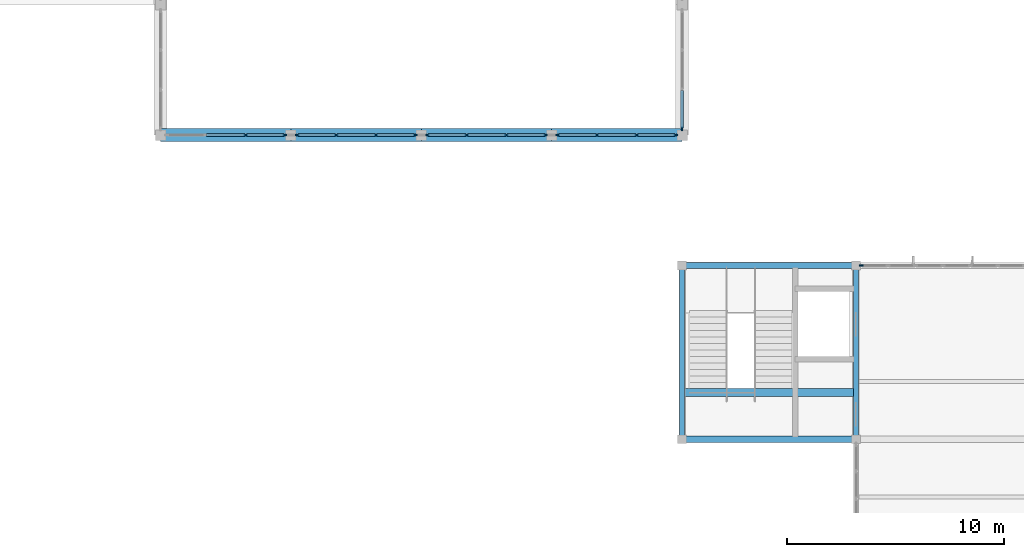
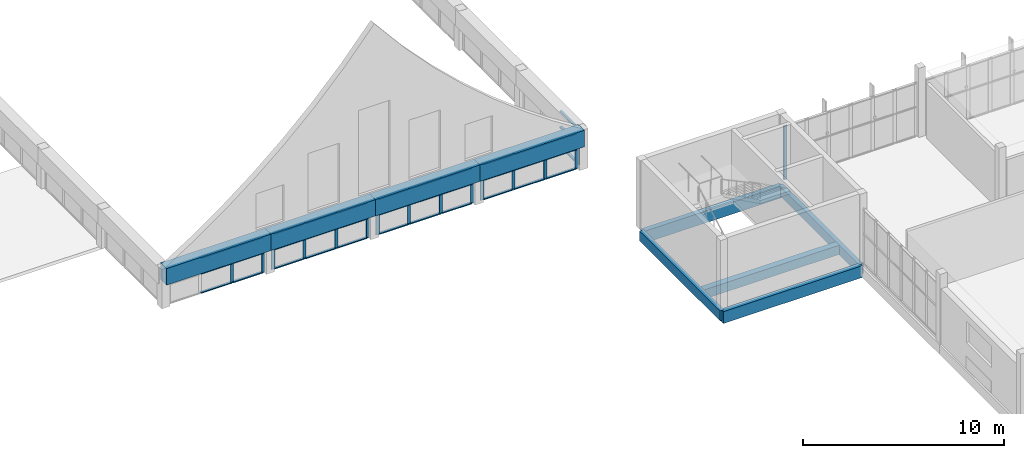
# One storey, part 4 of 45: 52 members, 9 beams, 6 elements without a shape of their own.
"""IFC4 building model written with IfcOpenShell, lengths in metres."""

from ifc_helpers import new_model, si_unit, direction, frame, origin, origin_2d, place, context, subcontext, project, spatial, rectangle, extrude, material, layer, layer_set, material_profile, profile_set, type_object, element, aggregate, save


model = new_model("IFC4")

# Units and contexts
model_context = context("Model", 3, precision=1e-05, world=origin(), true_north=direction((0.0, 1.0)))
body_context = subcontext(model_context, "Body", "Model", "MODEL_VIEW")
ifc_project = project(units=[si_unit("LENGTHUNIT", "METRE"), si_unit("AREAUNIT", "SQUARE_METRE"), si_unit("VOLUMEUNIT", "CUBIC_METRE"), si_unit("PLANEANGLEUNIT", "RADIAN"), si_unit("MASSUNIT", "GRAM", prefix="KILO")], contexts=[model_context])

# Site, building, storey
site_placement = place(None, origin())
site = spatial("IfcSite", under=ifc_project, at=site_placement, CompositionType="ELEMENT")
building_placement = place(site_placement, origin())
building = spatial("IfcBuilding", under=site, at=building_placement, Name="Solvane Community Centre", CompositionType="ELEMENT")
storey_placement = place(building_placement, frame((0.0, 0.0, 13.800048828125)))
storey = spatial("IfcBuildingStorey", under=building, at=storey_placement, Name="L03", CompositionType="ELEMENT", Elevation=13.800048828125)

# Curtain wall, member
ifc_material_1 = material(Name="Anodised bronze aluminium AW-6063 T6", Category="aluminium")
ifc_layer_1 = layer(ifc_material_1, 0.199951171875)
ifc_layer_set_1 = layer_set([ifc_layer_1], Name="Anodised bronze aluminium AW-6063 T6")
curtain_wall_type_1 = type_object("IfcCurtainWallType", Name="Courtyard Cloister Curtain Wall [76x33dm]", PredefinedType="NOTDEFINED", material=ifc_layer_set_1)
curtain_wall_1_placement = place(storey_placement, origin())
curtain_wall_1 = element("IfcCurtainWall", 1, at=curtain_wall_1_placement, inside=storey, type_object=curtain_wall_type_1, Name="Curtain Wall CW-L03-682_300-221", PredefinedType="NOTDEFINED")
ifc_material_profile_1 = material_profile(ifc_material_1, rectangle(XDim=0.06005859375, YDim=0.199951171875, at=origin_2d()), Name="CW-M 60x200")
ifc_profile_set_1 = profile_set([ifc_material_profile_1], Name="Anodised bronze aluminium AW-6063 T6")
member_type_1 = type_object("IfcMemberType", Name="Cloister Mullion 60x200", PredefinedType="MULLION", material=ifc_profile_set_1)
member_1_placement = place(storey_placement, frame((68.2451171875, 30.0, 0.0), z_axis=(0.0, 0.0, 1.0), x_axis=(0.0, 1.0, 0.0)))
member_1 = element("IfcMember", 2, at=member_1_placement, type_object=member_type_1, Name="CW03-76x33 mullion 1", PredefinedType="MULLION", context=body_context, shape_type="SweptSolid", body=[
    extrude(rectangle(XDim=0.06005859375, YDim=0.199951171875, at=origin_2d()), origin(), (0.0, 0.0, 1.0), 3.264892578125),
])
aggregate(curtain_wall_1, [member_1])

# Beams
ifc_material_2 = material(Name="Glulam GL28h", Category="wood")
ifc_material_profile_2 = material_profile(ifc_material_2, rectangle(XDim=0.239990234375, YDim=0.60009765625, at=origin_2d()), Name="GL28h 240x600")
ifc_profile_set_2 = profile_set([ifc_material_profile_2], Name="Glulam GL28h")
beam_type_1 = type_object("IfcBeamType", Name="Glulam Floor Beam 240x600", PredefinedType="BEAM", material=ifc_profile_set_2)
for number, where, z_axis, x_axis, name in (
    (3, (60.0, 22.0, -0.52001953125), (0.0, 1.0, 0.0), (-1.0, 0.0, 0.0), "Beam BM-L03-600_220-600_300"),
    (4, (68.0, 22.0, -0.52001953125), (0.0, 1.0, 0.0), (-1.0, 0.0, 0.0), "Beam BM-L03-680_220-680_300"),
):
    element("IfcBeam", number, at=place(storey_placement, frame(where, z_axis=z_axis, x_axis=x_axis)), inside=storey, type_object=beam_type_1, Name=name, PredefinedType="BEAM", context=body_context, shape_type="SweptSolid", body=[
        extrude(rectangle(XDim=0.239990234375, YDim=0.60009765625, at=origin_2d()), origin(), (0.0, 0.0, 1.0), 8.0),
    ])
ifc_material_profile_3 = material_profile(ifc_material_2, rectangle(XDim=0.280029296875, YDim=0.719970703125, at=origin_2d()), Name="GL28h 280x720")
ifc_profile_set_3 = profile_set([ifc_material_profile_3], Name="Glulam GL28h")
beam_type_2 = type_object("IfcBeamType", Name="Glulam Long-Span Girder 280x720", PredefinedType="USERDEFINED", material=ifc_profile_set_3)
for number, where, z_axis, x_axis, name in (
    (5, (60.0, 22.0, -0.580078125), (1.0, 0.0, 0.0), (0.0, 1.0, 0.0), "Beam BM-L03-600_220-680_220"),
    (6, (60.0, 30.0, -0.580078125), (1.0, 0.0, 0.0), (0.0, 1.0, 0.0), "Beam BM-L03-600_300-680_300"),
):
    element("IfcBeam", number, at=place(storey_placement, frame(where, z_axis=z_axis, x_axis=x_axis)), inside=storey, type_object=beam_type_2, Name=name, ObjectType="GIRDER", PredefinedType="USERDEFINED", context=body_context, shape_type="SweptSolid", body=[
        extrude(rectangle(XDim=0.280029296875, YDim=0.719970703125, at=origin_2d()), origin(), (0.0, 0.0, 1.0), 8.0),
    ])

# Curtain wall, member
ifc_layer_2 = layer(ifc_material_1, 0.179931640625)
ifc_layer_set_2 = layer_set([ifc_layer_2], Name="Anodised bronze aluminium AW-6063 T6")
curtain_wall_type_2 = type_object("IfcCurtainWallType", Name="Hall Translucent Upper Curtain Wall [55x22dm]", PredefinedType="NOTDEFINED", material=ifc_layer_set_2)
curtain_wall_2_placement = place(storey_placement, origin())
curtain_wall_2 = element("IfcCurtainWall", 7, at=curtain_wall_2_placement, inside=storey, type_object=curtain_wall_type_2, Name="Curtain Wall CW-L03-600_363-143", PredefinedType="NOTDEFINED")
ifc_material_profile_4 = material_profile(ifc_material_1, rectangle(XDim=0.06005859375, YDim=0.179931640625, at=origin_2d()), Name="CW-M 60x180")
ifc_profile_set_4 = profile_set([ifc_material_profile_4], Name="Anodised bronze aluminium AW-6063 T6")
member_type_2 = type_object("IfcMemberType", Name="Hall Mullion 60x180", PredefinedType="MULLION", material=ifc_profile_set_4)
member_2_placement = place(storey_placement, frame((60.0, 36.284912109375, 0.0), z_axis=(0.0, 0.0, 1.0), x_axis=(-1.0, 0.0, 0.0)))
member_2 = element("IfcMember", 8, at=member_2_placement, type_object=member_type_2, Name="CW01-55x22 mullion 1", PredefinedType="MULLION", context=body_context, shape_type="SweptSolid", body=[
    extrude(rectangle(XDim=0.06005859375, YDim=0.179931640625, at=origin_2d()), origin(), (0.0, 0.0, 1.0), 2.179931640625),
])

# Curtain wall, members
curtain_wall_3_placement = place(storey_placement, origin())
curtain_wall_3 = element("IfcCurtainWall", 9, at=curtain_wall_3_placement, inside=storey, type_object=curtain_wall_type_2, Name="Curtain Wall CW-L03-597_360-154", PredefinedType="NOTDEFINED")
member_3_placement = place(storey_placement, frame((59.715087890625, 36.0, 0.0), z_axis=(0.0, 0.0, 1.0), x_axis=(0.0, -1.0, 0.0)))
member_3 = element("IfcMember", 10, at=member_3_placement, type_object=member_type_2, Name="CW01-55x22 mullion 1", PredefinedType="MULLION", context=body_context, shape_type="SweptSolid", body=[
    extrude(rectangle(XDim=0.06005859375, YDim=0.179931640625, at=origin_2d()), origin(), (0.0, 0.0, 1.0), 2.179931640625),
])
member_4_placement = place(storey_placement, frame((57.9150390625, 36.0, 0.0), z_axis=(0.0, 0.0, 1.0), x_axis=(0.0, -1.0, 0.0)))
member_4 = element("IfcMember", 11, at=member_4_placement, type_object=member_type_2, Name="CW01-55x22 mullion 2", PredefinedType="MULLION", context=body_context, shape_type="SweptSolid", body=[
    extrude(rectangle(XDim=0.06005859375, YDim=0.179931640625, at=origin_2d()), origin(), (0.0, 0.0, 1.0), 2.179931640625),
])
member_5_placement = place(storey_placement, frame((56.0849609375, 36.0, 0.0), z_axis=(0.0, 0.0, 1.0), x_axis=(0.0, -1.0, 0.0)))
member_5 = element("IfcMember", 12, at=member_5_placement, type_object=member_type_2, Name="CW01-55x22 mullion 3", PredefinedType="MULLION", context=body_context, shape_type="SweptSolid", body=[
    extrude(rectangle(XDim=0.06005859375, YDim=0.179931640625, at=origin_2d()), origin(), (0.0, 0.0, 1.0), 2.179931640625),
])
member_6_placement = place(storey_placement, frame((54.284912109375, 36.0, 0.0), z_axis=(0.0, 0.0, 1.0), x_axis=(0.0, -1.0, 0.0)))
member_6 = element("IfcMember", 13, at=member_6_placement, type_object=member_type_2, Name="CW01-55x22 mullion 4", PredefinedType="MULLION", context=body_context, shape_type="SweptSolid", body=[
    extrude(rectangle(XDim=0.06005859375, YDim=0.179931640625, at=origin_2d()), origin(), (0.0, 0.0, 1.0), 2.179931640625),
])

curtain_wall_4_placement = place(storey_placement, origin())
curtain_wall_4 = element("IfcCurtainWall", 14, at=curtain_wall_4_placement, inside=storey, type_object=curtain_wall_type_2, Name="Curtain Wall CW-L03-537_360-155", PredefinedType="NOTDEFINED")
member_7_placement = place(storey_placement, frame((53.715087890625, 36.0, 0.0), z_axis=(0.0, 0.0, 1.0), x_axis=(0.0, -1.0, 0.0)))
member_7 = element("IfcMember", 15, at=member_7_placement, type_object=member_type_2, Name="CW01-55x22 mullion 1", PredefinedType="MULLION", context=body_context, shape_type="SweptSolid", body=[
    extrude(rectangle(XDim=0.06005859375, YDim=0.179931640625, at=origin_2d()), origin(), (0.0, 0.0, 1.0), 2.179931640625),
])
member_8_placement = place(storey_placement, frame((51.9150390625, 36.0, 0.0), z_axis=(0.0, 0.0, 1.0), x_axis=(0.0, -1.0, 0.0)))
member_8 = element("IfcMember", 16, at=member_8_placement, type_object=member_type_2, Name="CW01-55x22 mullion 2", PredefinedType="MULLION", context=body_context, shape_type="SweptSolid", body=[
    extrude(rectangle(XDim=0.06005859375, YDim=0.179931640625, at=origin_2d()), origin(), (0.0, 0.0, 1.0), 2.179931640625),
])
member_9_placement = place(storey_placement, frame((50.0849609375, 36.0, 0.0), z_axis=(0.0, 0.0, 1.0), x_axis=(0.0, -1.0, 0.0)))
member_9 = element("IfcMember", 17, at=member_9_placement, type_object=member_type_2, Name="CW01-55x22 mullion 3", PredefinedType="MULLION", context=body_context, shape_type="SweptSolid", body=[
    extrude(rectangle(XDim=0.06005859375, YDim=0.179931640625, at=origin_2d()), origin(), (0.0, 0.0, 1.0), 2.179931640625),
])
member_10_placement = place(storey_placement, frame((48.284912109375, 36.0, 0.0), z_axis=(0.0, 0.0, 1.0), x_axis=(0.0, -1.0, 0.0)))
member_10 = element("IfcMember", 18, at=member_10_placement, type_object=member_type_2, Name="CW01-55x22 mullion 4", PredefinedType="MULLION", context=body_context, shape_type="SweptSolid", body=[
    extrude(rectangle(XDim=0.06005859375, YDim=0.179931640625, at=origin_2d()), origin(), (0.0, 0.0, 1.0), 2.179931640625),
])

curtain_wall_5_placement = place(storey_placement, origin())
curtain_wall_5 = element("IfcCurtainWall", 19, at=curtain_wall_5_placement, inside=storey, type_object=curtain_wall_type_2, Name="Curtain Wall CW-L03-477_360-156", PredefinedType="NOTDEFINED")
member_11_placement = place(storey_placement, frame((47.715087890625, 36.0, 0.0), z_axis=(0.0, 0.0, 1.0), x_axis=(0.0, -1.0, 0.0)))
member_11 = element("IfcMember", 20, at=member_11_placement, type_object=member_type_2, Name="CW01-55x22 mullion 1", PredefinedType="MULLION", context=body_context, shape_type="SweptSolid", body=[
    extrude(rectangle(XDim=0.06005859375, YDim=0.179931640625, at=origin_2d()), origin(), (0.0, 0.0, 1.0), 2.179931640625),
])
member_12_placement = place(storey_placement, frame((45.9150390625, 36.0, 0.0), z_axis=(0.0, 0.0, 1.0), x_axis=(0.0, -1.0, 0.0)))
member_12 = element("IfcMember", 21, at=member_12_placement, type_object=member_type_2, Name="CW01-55x22 mullion 2", PredefinedType="MULLION", context=body_context, shape_type="SweptSolid", body=[
    extrude(rectangle(XDim=0.06005859375, YDim=0.179931640625, at=origin_2d()), origin(), (0.0, 0.0, 1.0), 2.179931640625),
])
member_13_placement = place(storey_placement, frame((44.0849609375, 36.0, 0.0), z_axis=(0.0, 0.0, 1.0), x_axis=(0.0, -1.0, 0.0)))
member_13 = element("IfcMember", 22, at=member_13_placement, type_object=member_type_2, Name="CW01-55x22 mullion 3", PredefinedType="MULLION", context=body_context, shape_type="SweptSolid", body=[
    extrude(rectangle(XDim=0.06005859375, YDim=0.179931640625, at=origin_2d()), origin(), (0.0, 0.0, 1.0), 2.179931640625),
])
member_14_placement = place(storey_placement, frame((42.284912109375, 36.0, 0.0), z_axis=(0.0, 0.0, 1.0), x_axis=(0.0, -1.0, 0.0)))
member_14 = element("IfcMember", 23, at=member_14_placement, type_object=member_type_2, Name="CW01-55x22 mullion 4", PredefinedType="MULLION", context=body_context, shape_type="SweptSolid", body=[
    extrude(rectangle(XDim=0.06005859375, YDim=0.179931640625, at=origin_2d()), origin(), (0.0, 0.0, 1.0), 2.179931640625),
])

curtain_wall_6_placement = place(storey_placement, origin())
curtain_wall_6 = element("IfcCurtainWall", 24, at=curtain_wall_6_placement, inside=storey, type_object=curtain_wall_type_2, Name="Curtain Wall CW-L03-417_360-157", PredefinedType="NOTDEFINED")
member_15_placement = place(storey_placement, frame((41.715087890625, 36.0, 0.0), z_axis=(0.0, 0.0, 1.0), x_axis=(0.0, -1.0, 0.0)))
member_15 = element("IfcMember", 25, at=member_15_placement, type_object=member_type_2, Name="CW01-55x22 mullion 1", PredefinedType="MULLION", context=body_context, shape_type="SweptSolid", body=[
    extrude(rectangle(XDim=0.06005859375, YDim=0.179931640625, at=origin_2d()), origin(), (0.0, 0.0, 1.0), 2.179931640625),
])
member_16_placement = place(storey_placement, frame((39.9150390625, 36.0, 0.0), z_axis=(0.0, 0.0, 1.0), x_axis=(0.0, -1.0, 0.0)))
member_16 = element("IfcMember", 26, at=member_16_placement, type_object=member_type_2, Name="CW01-55x22 mullion 2", PredefinedType="MULLION", context=body_context, shape_type="SweptSolid", body=[
    extrude(rectangle(XDim=0.06005859375, YDim=0.179931640625, at=origin_2d()), origin(), (0.0, 0.0, 1.0), 2.179931640625),
])

# Member
ifc_material_profile_5 = material_profile(ifc_material_1, rectangle(XDim=0.139892578125, YDim=0.06005859375, at=origin_2d()), Name="CW-T 60x140")
ifc_profile_set_5 = profile_set([ifc_material_profile_5], Name="Anodised bronze aluminium AW-6063 T6")
member_type_3 = type_object("IfcMemberType", Name="Hall Transom 60x140", PredefinedType="USERDEFINED", material=ifc_profile_set_5)
member_17_placement = place(storey_placement, frame((60.0, 36.31494140625, 0.030029296875), z_axis=(0.0, 1.0, 0.0), x_axis=(-1.0, 0.0, 0.0)))
member_17 = element("IfcMember", 27, at=member_17_placement, type_object=member_type_3, Name="CW01-55x22 transom 1.1", ObjectType="TRANSOM", PredefinedType="USERDEFINED", context=body_context, shape_type="SweptSolid", body=[
    extrude(rectangle(XDim=0.139892578125, YDim=0.06005859375, at=origin_2d()), origin(), (0.0, 0.0, 1.0), 1.739990234375),
])

member_18_placement = place(storey_placement, frame((60.0, 36.31494140625, 1.198974609375), z_axis=(0.0, 1.0, 0.0), x_axis=(-1.0, 0.0, 0.0)))
member_18 = element("IfcMember", 28, at=member_18_placement, type_object=member_type_3, Name="CW01-55x22 transom 1.2", ObjectType="TRANSOM", PredefinedType="USERDEFINED", context=body_context, shape_type="SweptSolid", body=[
    extrude(rectangle(XDim=0.139892578125, YDim=0.06005859375, at=origin_2d()), origin(), (0.0, 0.0, 1.0), 1.739990234375),
])

member_19_placement = place(storey_placement, frame((60.0, 36.31494140625, 2.14990234375), z_axis=(0.0, 1.0, 0.0), x_axis=(-1.0, 0.0, 0.0)))
member_19 = element("IfcMember", 29, at=member_19_placement, type_object=member_type_3, Name="CW01-55x22 transom 1.3", ObjectType="TRANSOM", PredefinedType="USERDEFINED", context=body_context, shape_type="SweptSolid", body=[
    extrude(rectangle(XDim=0.139892578125, YDim=0.06005859375, at=origin_2d()), origin(), (0.0, 0.0, 1.0), 1.739990234375),
])

aggregate(curtain_wall_2, [member_2, member_17, member_18, member_19])

member_20_placement = place(storey_placement, frame((59.68505859375, 36.0, 0.030029296875), z_axis=(-1.0, 0.0, 0.0), x_axis=(0.0, -1.0, 0.0)))
member_20 = element("IfcMember", 30, at=member_20_placement, type_object=member_type_3, Name="CW01-55x22 transom 1.1", ObjectType="TRANSOM", PredefinedType="USERDEFINED", context=body_context, shape_type="SweptSolid", body=[
    extrude(rectangle(XDim=0.139892578125, YDim=0.06005859375, at=origin_2d()), origin(), (0.0, 0.0, 1.0), 1.739990234375),
])

member_21_placement = place(storey_placement, frame((59.68505859375, 36.0, 1.198974609375), z_axis=(-1.0, 0.0, 0.0), x_axis=(0.0, -1.0, 0.0)))
member_21 = element("IfcMember", 31, at=member_21_placement, type_object=member_type_3, Name="CW01-55x22 transom 1.2", ObjectType="TRANSOM", PredefinedType="USERDEFINED", context=body_context, shape_type="SweptSolid", body=[
    extrude(rectangle(XDim=0.139892578125, YDim=0.06005859375, at=origin_2d()), origin(), (0.0, 0.0, 1.0), 1.739990234375),
])

member_22_placement = place(storey_placement, frame((59.68505859375, 36.0, 2.14990234375), z_axis=(-1.0, 0.0, 0.0), x_axis=(0.0, -1.0, 0.0)))
member_22 = element("IfcMember", 32, at=member_22_placement, type_object=member_type_3, Name="CW01-55x22 transom 1.3", ObjectType="TRANSOM", PredefinedType="USERDEFINED", context=body_context, shape_type="SweptSolid", body=[
    extrude(rectangle(XDim=0.139892578125, YDim=0.06005859375, at=origin_2d()), origin(), (0.0, 0.0, 1.0), 1.739990234375),
])

member_23_placement = place(storey_placement, frame((57.885009765625, 36.0, 0.030029296875), z_axis=(-1.0, 0.0, 0.0), x_axis=(0.0, -1.0, 0.0)))
member_23 = element("IfcMember", 33, at=member_23_placement, type_object=member_type_3, Name="CW01-55x22 transom 2.1", ObjectType="TRANSOM", PredefinedType="USERDEFINED", context=body_context, shape_type="SweptSolid", body=[
    extrude(rectangle(XDim=0.139892578125, YDim=0.06005859375, at=origin_2d()), origin(), (0.0, 0.0, 1.0), 1.77001953125),
])

member_24_placement = place(storey_placement, frame((57.885009765625, 36.0, 1.198974609375), z_axis=(-1.0, 0.0, 0.0), x_axis=(0.0, -1.0, 0.0)))
member_24 = element("IfcMember", 34, at=member_24_placement, type_object=member_type_3, Name="CW01-55x22 transom 2.2", ObjectType="TRANSOM", PredefinedType="USERDEFINED", context=body_context, shape_type="SweptSolid", body=[
    extrude(rectangle(XDim=0.139892578125, YDim=0.06005859375, at=origin_2d()), origin(), (0.0, 0.0, 1.0), 1.77001953125),
])

member_25_placement = place(storey_placement, frame((57.885009765625, 36.0, 2.14990234375), z_axis=(-1.0, 0.0, 0.0), x_axis=(0.0, -1.0, 0.0)))
member_25 = element("IfcMember", 35, at=member_25_placement, type_object=member_type_3, Name="CW01-55x22 transom 2.3", ObjectType="TRANSOM", PredefinedType="USERDEFINED", context=body_context, shape_type="SweptSolid", body=[
    extrude(rectangle(XDim=0.139892578125, YDim=0.06005859375, at=origin_2d()), origin(), (0.0, 0.0, 1.0), 1.77001953125),
])

member_26_placement = place(storey_placement, frame((56.054931640625, 36.0, 0.030029296875), z_axis=(-1.0, 0.0, 0.0), x_axis=(0.0, -1.0, 0.0)))
member_26 = element("IfcMember", 36, at=member_26_placement, type_object=member_type_3, Name="CW01-55x22 transom 3.1", ObjectType="TRANSOM", PredefinedType="USERDEFINED", context=body_context, shape_type="SweptSolid", body=[
    extrude(rectangle(XDim=0.139892578125, YDim=0.06005859375, at=origin_2d()), origin(), (0.0, 0.0, 1.0), 1.739990234375),
])

member_27_placement = place(storey_placement, frame((56.054931640625, 36.0, 1.198974609375), z_axis=(-1.0, 0.0, 0.0), x_axis=(0.0, -1.0, 0.0)))
member_27 = element("IfcMember", 37, at=member_27_placement, type_object=member_type_3, Name="CW01-55x22 transom 3.2", ObjectType="TRANSOM", PredefinedType="USERDEFINED", context=body_context, shape_type="SweptSolid", body=[
    extrude(rectangle(XDim=0.139892578125, YDim=0.06005859375, at=origin_2d()), origin(), (0.0, 0.0, 1.0), 1.739990234375),
])

member_28_placement = place(storey_placement, frame((56.054931640625, 36.0, 2.14990234375), z_axis=(-1.0, 0.0, 0.0), x_axis=(0.0, -1.0, 0.0)))
member_28 = element("IfcMember", 38, at=member_28_placement, type_object=member_type_3, Name="CW01-55x22 transom 3.3", ObjectType="TRANSOM", PredefinedType="USERDEFINED", context=body_context, shape_type="SweptSolid", body=[
    extrude(rectangle(XDim=0.139892578125, YDim=0.06005859375, at=origin_2d()), origin(), (0.0, 0.0, 1.0), 1.739990234375),
])

aggregate(curtain_wall_3, [member_3, member_4, member_5, member_6, member_20, member_21, member_22, member_23, member_24, member_25, member_26, member_27, member_28])

member_29_placement = place(storey_placement, frame((53.68505859375, 36.0, 0.030029296875), z_axis=(-1.0, 0.0, 0.0), x_axis=(0.0, -1.0, 0.0)))
member_29 = element("IfcMember", 39, at=member_29_placement, type_object=member_type_3, Name="CW01-55x22 transom 1.1", ObjectType="TRANSOM", PredefinedType="USERDEFINED", context=body_context, shape_type="SweptSolid", body=[
    extrude(rectangle(XDim=0.139892578125, YDim=0.06005859375, at=origin_2d()), origin(), (0.0, 0.0, 1.0), 1.739990234375),
])

member_30_placement = place(storey_placement, frame((53.68505859375, 36.0, 1.198974609375), z_axis=(-1.0, 0.0, 0.0), x_axis=(0.0, -1.0, 0.0)))
member_30 = element("IfcMember", 40, at=member_30_placement, type_object=member_type_3, Name="CW01-55x22 transom 1.2", ObjectType="TRANSOM", PredefinedType="USERDEFINED", context=body_context, shape_type="SweptSolid", body=[
    extrude(rectangle(XDim=0.139892578125, YDim=0.06005859375, at=origin_2d()), origin(), (0.0, 0.0, 1.0), 1.739990234375),
])

member_31_placement = place(storey_placement, frame((53.68505859375, 36.0, 2.14990234375), z_axis=(-1.0, 0.0, 0.0), x_axis=(0.0, -1.0, 0.0)))
member_31 = element("IfcMember", 41, at=member_31_placement, type_object=member_type_3, Name="CW01-55x22 transom 1.3", ObjectType="TRANSOM", PredefinedType="USERDEFINED", context=body_context, shape_type="SweptSolid", body=[
    extrude(rectangle(XDim=0.139892578125, YDim=0.06005859375, at=origin_2d()), origin(), (0.0, 0.0, 1.0), 1.739990234375),
])

member_32_placement = place(storey_placement, frame((51.885009765625, 36.0, 0.030029296875), z_axis=(-1.0, 0.0, 0.0), x_axis=(0.0, -1.0, 0.0)))
member_32 = element("IfcMember", 42, at=member_32_placement, type_object=member_type_3, Name="CW01-55x22 transom 2.1", ObjectType="TRANSOM", PredefinedType="USERDEFINED", context=body_context, shape_type="SweptSolid", body=[
    extrude(rectangle(XDim=0.139892578125, YDim=0.06005859375, at=origin_2d()), origin(), (0.0, 0.0, 1.0), 1.77001953125),
])

member_33_placement = place(storey_placement, frame((51.885009765625, 36.0, 1.198974609375), z_axis=(-1.0, 0.0, 0.0), x_axis=(0.0, -1.0, 0.0)))
member_33 = element("IfcMember", 43, at=member_33_placement, type_object=member_type_3, Name="CW01-55x22 transom 2.2", ObjectType="TRANSOM", PredefinedType="USERDEFINED", context=body_context, shape_type="SweptSolid", body=[
    extrude(rectangle(XDim=0.139892578125, YDim=0.06005859375, at=origin_2d()), origin(), (0.0, 0.0, 1.0), 1.77001953125),
])

member_34_placement = place(storey_placement, frame((51.885009765625, 36.0, 2.14990234375), z_axis=(-1.0, 0.0, 0.0), x_axis=(0.0, -1.0, 0.0)))
member_34 = element("IfcMember", 44, at=member_34_placement, type_object=member_type_3, Name="CW01-55x22 transom 2.3", ObjectType="TRANSOM", PredefinedType="USERDEFINED", context=body_context, shape_type="SweptSolid", body=[
    extrude(rectangle(XDim=0.139892578125, YDim=0.06005859375, at=origin_2d()), origin(), (0.0, 0.0, 1.0), 1.77001953125),
])

member_35_placement = place(storey_placement, frame((50.054931640625, 36.0, 0.030029296875), z_axis=(-1.0, 0.0, 0.0), x_axis=(0.0, -1.0, 0.0)))
member_35 = element("IfcMember", 45, at=member_35_placement, type_object=member_type_3, Name="CW01-55x22 transom 3.1", ObjectType="TRANSOM", PredefinedType="USERDEFINED", context=body_context, shape_type="SweptSolid", body=[
    extrude(rectangle(XDim=0.139892578125, YDim=0.06005859375, at=origin_2d()), origin(), (0.0, 0.0, 1.0), 1.739990234375),
])

member_36_placement = place(storey_placement, frame((50.054931640625, 36.0, 1.198974609375), z_axis=(-1.0, 0.0, 0.0), x_axis=(0.0, -1.0, 0.0)))
member_36 = element("IfcMember", 46, at=member_36_placement, type_object=member_type_3, Name="CW01-55x22 transom 3.2", ObjectType="TRANSOM", PredefinedType="USERDEFINED", context=body_context, shape_type="SweptSolid", body=[
    extrude(rectangle(XDim=0.139892578125, YDim=0.06005859375, at=origin_2d()), origin(), (0.0, 0.0, 1.0), 1.739990234375),
])

member_37_placement = place(storey_placement, frame((50.054931640625, 36.0, 2.14990234375), z_axis=(-1.0, 0.0, 0.0), x_axis=(0.0, -1.0, 0.0)))
member_37 = element("IfcMember", 47, at=member_37_placement, type_object=member_type_3, Name="CW01-55x22 transom 3.3", ObjectType="TRANSOM", PredefinedType="USERDEFINED", context=body_context, shape_type="SweptSolid", body=[
    extrude(rectangle(XDim=0.139892578125, YDim=0.06005859375, at=origin_2d()), origin(), (0.0, 0.0, 1.0), 1.739990234375),
])

aggregate(curtain_wall_4, [member_7, member_8, member_9, member_10, member_29, member_30, member_31, member_32, member_33, member_34, member_35, member_36, member_37])

member_38_placement = place(storey_placement, frame((47.68505859375, 36.0, 0.030029296875), z_axis=(-1.0, 0.0, 0.0), x_axis=(0.0, -1.0, 0.0)))
member_38 = element("IfcMember", 48, at=member_38_placement, type_object=member_type_3, Name="CW01-55x22 transom 1.1", ObjectType="TRANSOM", PredefinedType="USERDEFINED", context=body_context, shape_type="SweptSolid", body=[
    extrude(rectangle(XDim=0.139892578125, YDim=0.06005859375, at=origin_2d()), origin(), (0.0, 0.0, 1.0), 1.739990234375),
])

member_39_placement = place(storey_placement, frame((47.68505859375, 36.0, 1.198974609375), z_axis=(-1.0, 0.0, 0.0), x_axis=(0.0, -1.0, 0.0)))
member_39 = element("IfcMember", 49, at=member_39_placement, type_object=member_type_3, Name="CW01-55x22 transom 1.2", ObjectType="TRANSOM", PredefinedType="USERDEFINED", context=body_context, shape_type="SweptSolid", body=[
    extrude(rectangle(XDim=0.139892578125, YDim=0.06005859375, at=origin_2d()), origin(), (0.0, 0.0, 1.0), 1.739990234375),
])

member_40_placement = place(storey_placement, frame((47.68505859375, 36.0, 2.14990234375), z_axis=(-1.0, 0.0, 0.0), x_axis=(0.0, -1.0, 0.0)))
member_40 = element("IfcMember", 50, at=member_40_placement, type_object=member_type_3, Name="CW01-55x22 transom 1.3", ObjectType="TRANSOM", PredefinedType="USERDEFINED", context=body_context, shape_type="SweptSolid", body=[
    extrude(rectangle(XDim=0.139892578125, YDim=0.06005859375, at=origin_2d()), origin(), (0.0, 0.0, 1.0), 1.739990234375),
])

member_41_placement = place(storey_placement, frame((45.885009765625, 36.0, 0.030029296875), z_axis=(-1.0, 0.0, 0.0), x_axis=(0.0, -1.0, 0.0)))
member_41 = element("IfcMember", 51, at=member_41_placement, type_object=member_type_3, Name="CW01-55x22 transom 2.1", ObjectType="TRANSOM", PredefinedType="USERDEFINED", context=body_context, shape_type="SweptSolid", body=[
    extrude(rectangle(XDim=0.139892578125, YDim=0.06005859375, at=origin_2d()), origin(), (0.0, 0.0, 1.0), 1.77001953125),
])

member_42_placement = place(storey_placement, frame((45.885009765625, 36.0, 1.198974609375), z_axis=(-1.0, 0.0, 0.0), x_axis=(0.0, -1.0, 0.0)))
member_42 = element("IfcMember", 52, at=member_42_placement, type_object=member_type_3, Name="CW01-55x22 transom 2.2", ObjectType="TRANSOM", PredefinedType="USERDEFINED", context=body_context, shape_type="SweptSolid", body=[
    extrude(rectangle(XDim=0.139892578125, YDim=0.06005859375, at=origin_2d()), origin(), (0.0, 0.0, 1.0), 1.77001953125),
])

member_43_placement = place(storey_placement, frame((45.885009765625, 36.0, 2.14990234375), z_axis=(-1.0, 0.0, 0.0), x_axis=(0.0, -1.0, 0.0)))
member_43 = element("IfcMember", 53, at=member_43_placement, type_object=member_type_3, Name="CW01-55x22 transom 2.3", ObjectType="TRANSOM", PredefinedType="USERDEFINED", context=body_context, shape_type="SweptSolid", body=[
    extrude(rectangle(XDim=0.139892578125, YDim=0.06005859375, at=origin_2d()), origin(), (0.0, 0.0, 1.0), 1.77001953125),
])

member_44_placement = place(storey_placement, frame((44.054931640625, 36.0, 0.030029296875), z_axis=(-1.0, 0.0, 0.0), x_axis=(0.0, -1.0, 0.0)))
member_44 = element("IfcMember", 54, at=member_44_placement, type_object=member_type_3, Name="CW01-55x22 transom 3.1", ObjectType="TRANSOM", PredefinedType="USERDEFINED", context=body_context, shape_type="SweptSolid", body=[
    extrude(rectangle(XDim=0.139892578125, YDim=0.06005859375, at=origin_2d()), origin(), (0.0, 0.0, 1.0), 1.739990234375),
])

member_45_placement = place(storey_placement, frame((44.054931640625, 36.0, 1.198974609375), z_axis=(-1.0, 0.0, 0.0), x_axis=(0.0, -1.0, 0.0)))
member_45 = element("IfcMember", 55, at=member_45_placement, type_object=member_type_3, Name="CW01-55x22 transom 3.2", ObjectType="TRANSOM", PredefinedType="USERDEFINED", context=body_context, shape_type="SweptSolid", body=[
    extrude(rectangle(XDim=0.139892578125, YDim=0.06005859375, at=origin_2d()), origin(), (0.0, 0.0, 1.0), 1.739990234375),
])

member_46_placement = place(storey_placement, frame((44.054931640625, 36.0, 2.14990234375), z_axis=(-1.0, 0.0, 0.0), x_axis=(0.0, -1.0, 0.0)))
member_46 = element("IfcMember", 56, at=member_46_placement, type_object=member_type_3, Name="CW01-55x22 transom 3.3", ObjectType="TRANSOM", PredefinedType="USERDEFINED", context=body_context, shape_type="SweptSolid", body=[
    extrude(rectangle(XDim=0.139892578125, YDim=0.06005859375, at=origin_2d()), origin(), (0.0, 0.0, 1.0), 1.739990234375),
])

aggregate(curtain_wall_5, [member_11, member_12, member_13, member_14, member_38, member_39, member_40, member_41, member_42, member_43, member_44, member_45, member_46])

member_47_placement = place(storey_placement, frame((41.68505859375, 36.0, 0.030029296875), z_axis=(-1.0, 0.0, 0.0), x_axis=(0.0, -1.0, 0.0)))
member_47 = element("IfcMember", 57, at=member_47_placement, type_object=member_type_3, Name="CW01-55x22 transom 1.1", ObjectType="TRANSOM", PredefinedType="USERDEFINED", context=body_context, shape_type="SweptSolid", body=[
    extrude(rectangle(XDim=0.139892578125, YDim=0.06005859375, at=origin_2d()), origin(), (0.0, 0.0, 1.0), 1.739990234375),
])

member_48_placement = place(storey_placement, frame((41.68505859375, 36.0, 1.198974609375), z_axis=(-1.0, 0.0, 0.0), x_axis=(0.0, -1.0, 0.0)))
member_48 = element("IfcMember", 58, at=member_48_placement, type_object=member_type_3, Name="CW01-55x22 transom 1.2", ObjectType="TRANSOM", PredefinedType="USERDEFINED", context=body_context, shape_type="SweptSolid", body=[
    extrude(rectangle(XDim=0.139892578125, YDim=0.06005859375, at=origin_2d()), origin(), (0.0, 0.0, 1.0), 1.739990234375),
])

member_49_placement = place(storey_placement, frame((41.68505859375, 36.0, 2.14990234375), z_axis=(-1.0, 0.0, 0.0), x_axis=(0.0, -1.0, 0.0)))
member_49 = element("IfcMember", 59, at=member_49_placement, type_object=member_type_3, Name="CW01-55x22 transom 1.3", ObjectType="TRANSOM", PredefinedType="USERDEFINED", context=body_context, shape_type="SweptSolid", body=[
    extrude(rectangle(XDim=0.139892578125, YDim=0.06005859375, at=origin_2d()), origin(), (0.0, 0.0, 1.0), 1.739990234375),
])

member_50_placement = place(storey_placement, frame((39.885009765625, 36.0, 0.030029296875), z_axis=(-1.0, 0.0, 0.0), x_axis=(0.0, -1.0, 0.0)))
member_50 = element("IfcMember", 60, at=member_50_placement, type_object=member_type_3, Name="CW01-55x22 transom 2.1", ObjectType="TRANSOM", PredefinedType="USERDEFINED", context=body_context, shape_type="SweptSolid", body=[
    extrude(rectangle(XDim=0.139892578125, YDim=0.06005859375, at=origin_2d()), origin(), (0.0, 0.0, 1.0), 1.77001953125),
])

member_51_placement = place(storey_placement, frame((39.885009765625, 36.0, 1.198974609375), z_axis=(-1.0, 0.0, 0.0), x_axis=(0.0, -1.0, 0.0)))
member_51 = element("IfcMember", 61, at=member_51_placement, type_object=member_type_3, Name="CW01-55x22 transom 2.2", ObjectType="TRANSOM", PredefinedType="USERDEFINED", context=body_context, shape_type="SweptSolid", body=[
    extrude(rectangle(XDim=0.139892578125, YDim=0.06005859375, at=origin_2d()), origin(), (0.0, 0.0, 1.0), 1.77001953125),
])

member_52_placement = place(storey_placement, frame((39.885009765625, 36.0, 2.14990234375), z_axis=(-1.0, 0.0, 0.0), x_axis=(0.0, -1.0, 0.0)))
member_52 = element("IfcMember", 62, at=member_52_placement, type_object=member_type_3, Name="CW01-55x22 transom 2.3", ObjectType="TRANSOM", PredefinedType="USERDEFINED", context=body_context, shape_type="SweptSolid", body=[
    extrude(rectangle(XDim=0.139892578125, YDim=0.06005859375, at=origin_2d()), origin(), (0.0, 0.0, 1.0), 1.77001953125),
])

aggregate(curtain_wall_6, [member_15, member_16, member_47, member_48, member_49, member_50, member_51, member_52])

# Beams
ifc_material_3 = material(Name="Concrete C35/45", Category="concrete")
ifc_material_profile_6 = material_profile(ifc_material_3, rectangle(XDim=0.360107421875, YDim=0.56005859375, at=origin_2d()), Name="RC 360x560")
ifc_profile_set_6 = profile_set([ifc_material_profile_6], Name="Concrete C35/45")
beam_type_3 = type_object("IfcBeamType", Name="RC Terrace Joist 360x560", PredefinedType="JOIST", material=ifc_profile_set_6)
beam_placement = place(storey_placement, frame((60.0, 24.14990234375, -0.5), z_axis=(1.0, 0.0, 0.0), x_axis=(0.0, 1.0, 0.0)))
element("IfcBeam", 63, at=beam_placement, inside=storey, type_object=beam_type_3, Name="Beam BM-L03-600_242-680_242", PredefinedType="JOIST", context=body_context, shape_type="SweptSolid", body=[
    extrude(rectangle(XDim=0.360107421875, YDim=0.56005859375, at=origin_2d()), origin(), (0.0, 0.0, 1.0), 8.0),
])
ifc_material_profile_7 = material_profile(ifc_material_3, rectangle(XDim=0.60009765625, YDim=1.0, at=origin_2d()), Name="RC 600x1000")
ifc_profile_set_7 = profile_set([ifc_material_profile_7], Name="Concrete C35/45")
beam_type_4 = type_object("IfcBeamType", Name="RC Vault Thrust Ring Girder 600x1000", PredefinedType="USERDEFINED", material=ifc_profile_set_7)
for number, where, z_axis, x_axis, name in (
    (64, (36.0, 36.0, 1.89990234375), (1.0, 0.0, 0.0), (0.0, 1.0, 0.0), "Beam BM-L03-360_360-420_360"),
    (65, (42.0, 36.0, 1.89990234375), (1.0, 0.0, 0.0), (0.0, 1.0, 0.0), "Beam BM-L03-420_360-480_360"),
    (66, (48.0, 36.0, 1.89990234375), (1.0, 0.0, 0.0), (0.0, 1.0, 0.0), "Beam BM-L03-480_360-540_360"),
    (67, (54.0, 36.0, 1.89990234375), (1.0, 0.0, 0.0), (0.0, 1.0, 0.0), "Beam BM-L03-540_360-600_360"),
):
    element("IfcBeam", number, at=place(storey_placement, frame(where, z_axis=z_axis, x_axis=x_axis)), inside=storey, type_object=beam_type_4, Name=name, ObjectType="GIRDER", PredefinedType="USERDEFINED", context=body_context, shape_type="SweptSolid", body=[
        extrude(rectangle(XDim=0.60009765625, YDim=1.0, at=origin_2d()), origin(), (0.0, 0.0, 1.0), 6.0),
    ])

save(model, "model.ifc")
